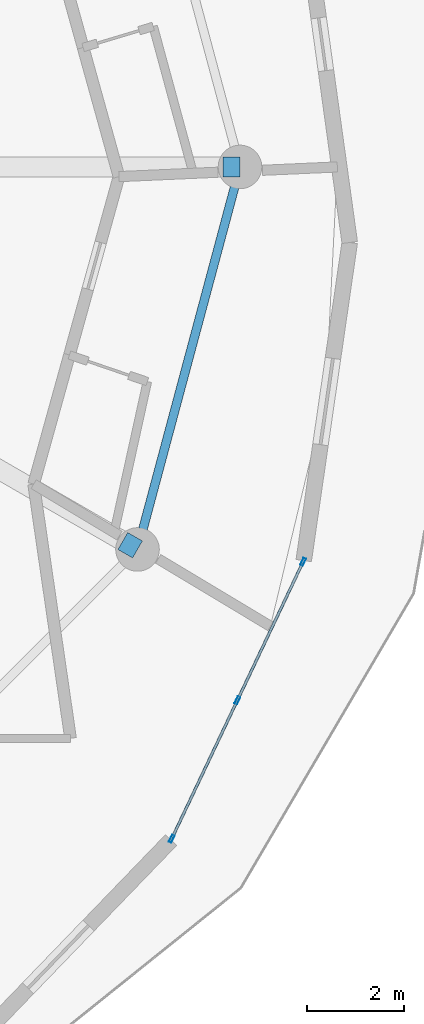
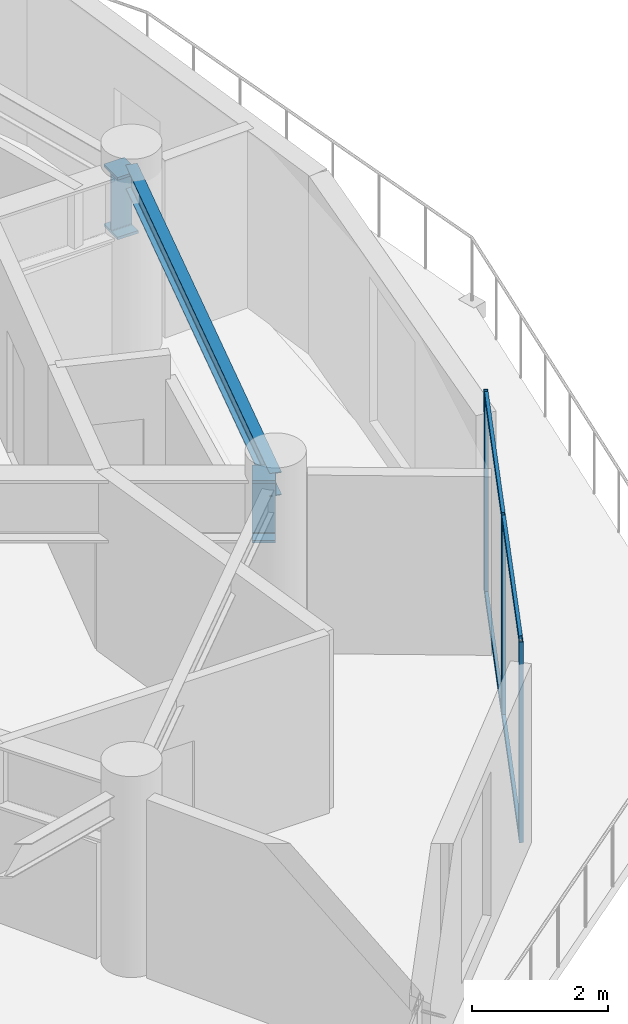
# One storey, part 10 of 22: 7 members, 3 beams, 1 element without a shape of its own.
"""IFC4 building model written with IfcOpenShell, lengths in metres."""

from ifc_helpers import new_model, si_unit, direction, frame, origin, origin_2d, place, context, subcontext, project, spatial, hollow_rectangle, i_section, extrude, source, transform, mapped, material, layer, layer_set, material_profile, profile_set, type_object, element, aggregate, save


model = new_model("IFC4")

# Units and contexts
model_context = context("Model", 3, precision=1e-05, world=origin(), true_north=direction((0.0, 1.0)))
body_context = subcontext(model_context, "Body", "Model", "MODEL_VIEW")
ifc_project = project(units=[si_unit("LENGTHUNIT", "METRE"), si_unit("AREAUNIT", "SQUARE_METRE"), si_unit("VOLUMEUNIT", "CUBIC_METRE"), si_unit("PLANEANGLEUNIT", "RADIAN"), si_unit("MASSUNIT", "GRAM", prefix="KILO")], contexts=[model_context])

# Site, building, storey
site_placement = place(None, origin())
site = spatial("IfcSite", under=ifc_project, at=site_placement, CompositionType="ELEMENT")
building_placement = place(site_placement, origin())
building = spatial("IfcBuilding", under=site, at=building_placement, Name="Solvirekh Grand Hotel", CompositionType="ELEMENT")
storey_placement = place(building_placement, frame((0.0, 0.0, 230.800048828125)))
storey = spatial("IfcBuildingStorey", under=building, at=storey_placement, Name="L60", CompositionType="ELEMENT", Elevation=230.800048828125)

# Beams
ifc_material_1 = material(Name="Steel S355", Category="steel")
ifc_material_profile_1 = material_profile(ifc_material_1, i_section(OverallWidth=0.180908203125, OverallDepth=0.4169921875, WebThickness=0.010009765625, FlangeThickness=0.01611328125, FilletRadius=0.011962890625, at=origin_2d()), Name="W410X85")
ifc_profile_set_1 = profile_set([ifc_material_profile_1], Name="Steel S355")
beam_type_1 = type_object("IfcBeamType", Name="Spandrel_Ring_W410", PredefinedType="SPANDREL", material=ifc_profile_set_1)
beam_placement = place(storey_placement, frame((13.68310546875, -7.89990234375, 2.991943359375), z_axis=(0.258838541915, 0.965920601923, 0.0), x_axis=(-0.965920601923, 0.258838541915, 0.0)))
element("IfcBeam", 1, at=beam_placement, inside=storey, type_object=beam_type_1, Name="L60 perimeter spandrel beam 12", PredefinedType="SPANDREL", context=body_context, shape_type="SweptSolid", body=[
    extrude(i_section(OverallWidth=0.180908203125, OverallDepth=0.4169921875, WebThickness=0.010009765625, FlangeThickness=0.01611328125, FilletRadius=0.011962890625, at=origin_2d()), origin(), (0.0, 0.0, 1.0), 8.1787109375),
])
ifc_material_2 = material(Name="Steel S460", Category="steel")
ifc_material_profile_2 = material_profile(ifc_material_2, i_section(OverallWidth=0.405029296875, OverallDepth=1.117919921875, WebThickness=0.02587890625, FlangeThickness=0.048095703125, FilletRadius=0.02392578125, at=origin_2d()), Name="W1100X499")
ifc_profile_set_2 = profile_set([ifc_material_profile_2], Name="Steel S460")
beam_type_2 = type_object("IfcBeamType", Name="TransferGirder_W1100", PredefinedType="USERDEFINED", material=ifc_profile_set_2)
for number, where, z_axis, x_axis, name in (
    (2, (15.449951171875, 0.0, 2.640869140625), (1.0, 0.0, 0.0), (0.0, 1.0, 0.0), "L60 outer radial transfer girder 1B"),
    (3, (13.3798828125, -7.72509765625, 2.640869140625), (0.866348119543, -0.499440622861, 0.0), (0.499440622861, 0.866348119543, 0.0), "L60 outer radial transfer girder 12B"),
):
    element("IfcBeam", number, at=place(storey_placement, frame(where, z_axis=z_axis, x_axis=x_axis)), inside=storey, type_object=beam_type_2, Name=name, ObjectType="TRANSFER GIRDER", PredefinedType="USERDEFINED", context=body_context, shape_type="SweptSolid", body=[
        extrude(i_section(OverallWidth=0.405029296875, OverallDepth=1.117919921875, WebThickness=0.02587890625, FlangeThickness=0.048095703125, FilletRadius=0.02392578125, at=origin_2d()), origin(), (0.0, 0.0, 1.0), 0.35009765625),
    ])

# Curtain wall, members
ifc_material_3 = material(Name="Anodized Bronze Aluminium 6063-T6", Category="aluminium")
ifc_layer = layer(ifc_material_3, 0.159912109375)
ifc_layer_set = layer_set([ifc_layer], Name="Anodized Bronze Aluminium 6063-T6")
curtain_wall_type = type_object("IfcCurtainWallType", Name="CW_Sys4_HighZoneFlushBronzeCW", PredefinedType="NOTDEFINED", material=ifc_layer_set)
curtain_wall_placement = place(storey_placement, origin())
curtain_wall = element("IfcCurtainWall", 4, at=curtain_wall_placement, inside=storey, type_object=curtain_wall_type, Name="L60 unitised bronze-glass curtain wall CW-L60-C03", PredefinedType="NOTDEFINED")
ifc_material_profile_3 = material_profile(ifc_material_3, hollow_rectangle(XDim=0.054931640625, YDim=0.1201171875, WallThickness=0.00390625, at=origin_2d()), Name="ALU RHS 120X55X4")
ifc_profile_set_3 = profile_set([ifc_material_profile_3], Name="Anodized Bronze Aluminium 6063-T6")
member_type_1 = type_object("IfcMemberType", Name="CWTransom_Sys4", PredefinedType="USERDEFINED", material=ifc_profile_set_3)
shared_shape_1 = source(origin(), body_context, "Body", "SweptSolid", [
    extrude(hollow_rectangle(XDim=0.054931640625, YDim=0.1201171875, WallThickness=0.00390625, at=origin_2d()), origin(), (0.0, 0.0, 1.0), 3.1044921875),
])
member_1_placement = place(storey_placement, frame((14.40283203125, -13.8466796875, 0.02734375), z_axis=(0.428684616089, 0.903454204666, 0.0), x_axis=(-0.903454204666, 0.428684616089, 0.0)))
member_1 = element("IfcMember", 5, at=member_1_placement, type_object=member_type_1, Name="U04 transom 1.1", ObjectType="TRANSOM", PredefinedType="USERDEFINED", context=body_context, shape_type="MappedRepresentation", body=[
    mapped(shared_shape_1, transform((0.0, 0.0, 0.0), x_axis=(1.0, 0.0, 0.0), y_axis=(0.0, 1.0, 0.0), z_axis=(0.0, 0.0, 1.0), scale=1.0)),
])
member_2_placement = place(storey_placement, frame((14.40283203125, -13.8466796875, 3.572509765625), z_axis=(0.428684616089, 0.903454204666, 0.0), x_axis=(-0.903454204666, 0.428684616089, 0.0)))
member_2 = element("IfcMember", 6, at=member_2_placement, type_object=member_type_1, Name="U04 transom 1.2", ObjectType="TRANSOM", PredefinedType="USERDEFINED", context=body_context, shape_type="MappedRepresentation", body=[
    mapped(shared_shape_1, transform((0.0, 0.0, 0.0), x_axis=(1.0, 0.0, 0.0), y_axis=(0.0, 1.0, 0.0), z_axis=(0.0, 0.0, 1.0), scale=1.0)),
])
member_3_placement = place(storey_placement, frame((15.75927734375, -10.98779296875, 0.02734375), z_axis=(0.428748803823, 0.903423745106, 0.0), x_axis=(-0.903423745106, 0.428748803823, 0.0)))
member_3 = element("IfcMember", 7, at=member_3_placement, type_object=member_type_1, Name="U04 transom 2.1", ObjectType="TRANSOM", PredefinedType="USERDEFINED", context=body_context, shape_type="MappedRepresentation", body=[
    mapped(shared_shape_1, transform((0.0, 0.0, 0.0), x_axis=(1.0, 0.0, 0.0), y_axis=(0.0, 1.0, 0.0), z_axis=(0.0, 0.0, 1.0), scale=1.0)),
])
member_4_placement = place(storey_placement, frame((15.75927734375, -10.98779296875, 3.572509765625), z_axis=(0.428748803823, 0.903423745106, 0.0), x_axis=(-0.903423745106, 0.428748803823, 0.0)))
member_4 = element("IfcMember", 8, at=member_4_placement, type_object=member_type_1, Name="U04 transom 2.2", ObjectType="TRANSOM", PredefinedType="USERDEFINED", context=body_context, shape_type="MappedRepresentation", body=[
    mapped(shared_shape_1, transform((0.0, 0.0, 0.0), x_axis=(1.0, 0.0, 0.0), y_axis=(0.0, 1.0, 0.0), z_axis=(0.0, 0.0, 1.0), scale=1.0)),
])
ifc_material_profile_4 = material_profile(ifc_material_3, hollow_rectangle(XDim=0.06005859375, YDim=0.159912109375, WallThickness=0.0048828125, at=origin_2d()), Name="ALU RHS 160X60X5")
ifc_profile_set_4 = profile_set([ifc_material_profile_4], Name="Anodized Bronze Aluminium 6063-T6")
member_type_2 = type_object("IfcMemberType", Name="CWMullion_Sys4", PredefinedType="MULLION", material=ifc_profile_set_4)
shared_shape_2 = source(origin(), body_context, "Body", "SweptSolid", [
    extrude(hollow_rectangle(XDim=0.06005859375, YDim=0.159912109375, WallThickness=0.0048828125, at=origin_2d()), origin(), (0.0, 0.0, 1.0), 3.599853515625),
])
member_5_placement = place(storey_placement, frame((14.389892578125, -13.873779296875, 0.0), z_axis=(0.0, 0.0, 1.0), x_axis=(-0.90344122325, 0.428711973396, 0.0)))
member_5 = element("IfcMember", 9, at=member_5_placement, type_object=member_type_2, Name="U04 mullion 1", PredefinedType="MULLION", context=body_context, shape_type="MappedRepresentation", body=[
    mapped(shared_shape_2, transform((0.0, 0.0, 0.0), x_axis=(1.0, 0.0, 0.0), y_axis=(0.0, 1.0, 0.0), z_axis=(0.0, 0.0, 1.0), scale=1.0)),
])
member_6_placement = place(storey_placement, frame((15.74658203125, -11.014892578125, 0.0), z_axis=(0.0, 0.0, 1.0), x_axis=(-0.90344122325, 0.428711973396, 0.0)))
member_6 = element("IfcMember", 10, at=member_6_placement, type_object=member_type_2, Name="U04 mullion 2", PredefinedType="MULLION", context=body_context, shape_type="MappedRepresentation", body=[
    mapped(shared_shape_2, transform((0.0, 0.0, 0.0), x_axis=(1.0, 0.0, 0.0), y_axis=(0.0, 1.0, 0.0), z_axis=(0.0, 0.0, 1.0), scale=1.0)),
])
member_7_placement = place(storey_placement, frame((17.10302734375, -8.156005859375, 0.0), z_axis=(0.0, 0.0, 1.0), x_axis=(-0.90344122325, 0.428711973396, 0.0)))
member_7 = element("IfcMember", 11, at=member_7_placement, type_object=member_type_2, Name="U04 mullion 3", PredefinedType="MULLION", context=body_context, shape_type="MappedRepresentation", body=[
    mapped(shared_shape_2, transform((0.0, 0.0, 0.0), x_axis=(1.0, 0.0, 0.0), y_axis=(0.0, 1.0, 0.0), z_axis=(0.0, 0.0, 1.0), scale=1.0)),
])
aggregate(curtain_wall, [member_5, member_6, member_7, member_1, member_2, member_3, member_4])

save(model, "model.ifc")
